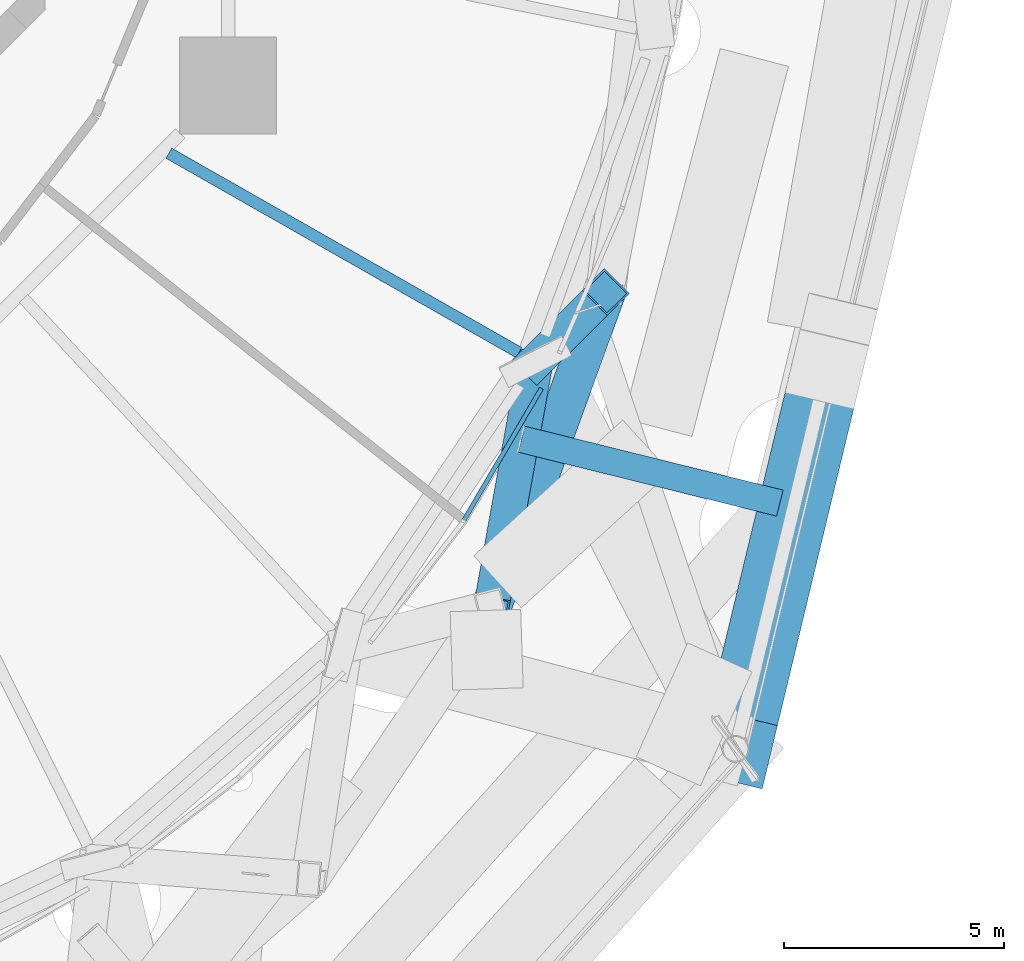
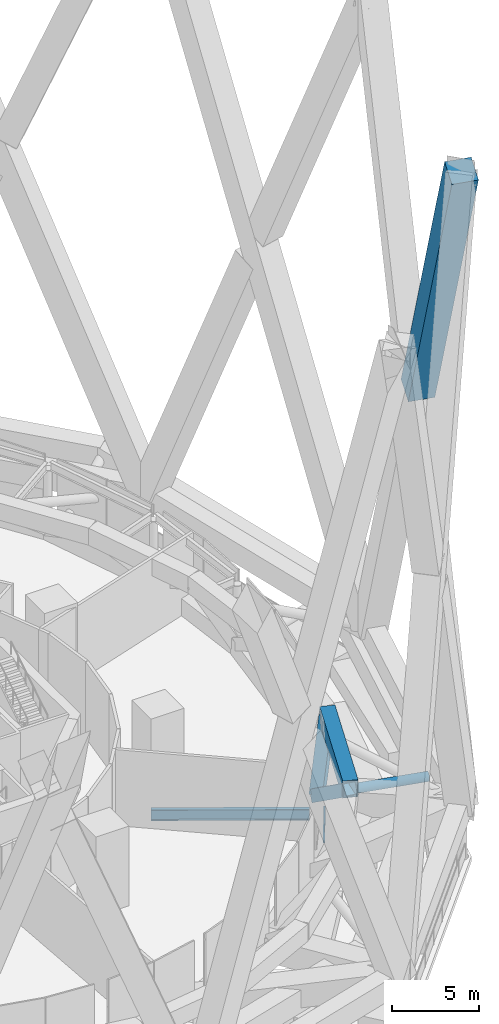
# One storey, part 11 of 65: 4 beams, 3 members, 1 element without a shape of its own.
"""IFC4 building model written with IfcOpenShell, lengths in metres."""

from ifc_helpers import new_model, si_unit, direction, frame, origin, origin_2d, place, context, subcontext, project, spatial, rectangle, hollow_rectangle, hollow_circle, i_section, extrude, material, layer, layer_set, material_profile, profile_set, type_object, element, aggregate, save


model = new_model("IFC4")

# Units and contexts
model_context = context("Model", 3, precision=1e-05, world=origin(), true_north=direction((0.0, 1.0)))
body_context = subcontext(model_context, "Body", "Model", "MODEL_VIEW")
ifc_project = project(units=[si_unit("LENGTHUNIT", "METRE"), si_unit("AREAUNIT", "SQUARE_METRE"), si_unit("VOLUMEUNIT", "CUBIC_METRE"), si_unit("PLANEANGLEUNIT", "RADIAN"), si_unit("MASSUNIT", "GRAM", prefix="KILO")], contexts=[model_context])

# Site, building, storey
site_placement = place(None, origin())
site = spatial("IfcSite", under=ifc_project, at=site_placement, CompositionType="ELEMENT")
building_placement = place(site_placement, origin())
building = spatial("IfcBuilding", under=site, at=building_placement, Name="Nagisa Residences", CompositionType="ELEMENT")
storey_placement = place(building_placement, frame((0.0, 0.0, 114.0)))
storey = spatial("IfcBuildingStorey", under=building, at=storey_placement, Name="L28", CompositionType="ELEMENT", Elevation=114.0)

# Beams
ifc_material_1 = material(Name="Steel ASTM A572 Gr 50", Category="steel")
ifc_material_profile_1 = material_profile(ifc_material_1, hollow_rectangle(XDim=0.89990234375, YDim=1.199951171875, WallThickness=0.050048828125, at=origin_2d()), Name="BX 900x1200x50")
ifc_profile_set_1 = profile_set([ifc_material_profile_1], Name="Steel ASTM A572 Gr 50")
beam_type_1 = type_object("IfcBeamType", Name="Belt chord 2 BX 900x1200x50", PredefinedType="BEAM", material=ifc_profile_set_1)
beam_1_placement = place(storey_placement, frame((20.7470703125, -17.965087890625, 4.739990234375), z_axis=(0.341339120312, 0.939940213495, 0.0), x_axis=(-0.939940213495, 0.341339120312, 0.0)))
element("IfcBeam", 1, at=beam_1_placement, inside=storey, type_object=beam_type_1, Name="beam:L28:bt2t23", PredefinedType="BEAM", context=body_context, shape_type="SweptSolid", body=[
    extrude(hollow_rectangle(XDim=0.89990234375, YDim=1.199951171875, WallThickness=0.050048828125, at=origin_2d()), origin(), (0.0, 0.0, 1.0), 7.619384765625),
])
ifc_material_2 = material(Name="Steel ASTM A572 Gr 50", Category="steel")
ifc_material_profile_2 = material_profile(ifc_material_2, hollow_rectangle(XDim=0.800048828125, YDim=0.800048828125, WallThickness=0.044921875, at=origin_2d()), Name="BX 800x800x45")
ifc_profile_set_2 = profile_set([ifc_material_profile_2], Name="Steel ASTM A572 Gr 50")
beam_type_2 = type_object("IfcBeamType", Name="Belt diagonal 2 BX 800x800x45", PredefinedType="BEAM", material=ifc_profile_set_2)
beam_2_placement = place(storey_placement, frame((21.75146484375, -12.389892578125, 0.60009765625), z_axis=(-0.143148895843, -0.794591197248, 0.590028154306), x_axis=(0.98415686387, -0.177299935977, 0.0)))
element("IfcBeam", 2, at=beam_2_placement, inside=storey, type_object=beam_type_2, Name="beam:L28:bt2da23", PredefinedType="BEAM", context=body_context, shape_type="SweptSolid", body=[
    extrude(hollow_rectangle(XDim=0.800048828125, YDim=0.800048828125, WallThickness=0.044921875, at=origin_2d()), origin(), (0.0, 0.0, 1.0), 7.016357421875),
])
beam_3_placement = place(storey_placement, frame((21.75146484375, -12.389892578125, 0.60009765625), z_axis=(0.338787657834, 0.336715245185, 0.878547532328), x_axis=(-0.70493409172, 0.709272815165, 0.0)))
element("IfcBeam", 3, at=beam_3_placement, inside=storey, type_object=beam_type_2, Name="beam:L28:bt2db23", PredefinedType="BEAM", context=body_context, shape_type="SweptSolid", body=[
    extrude(hollow_rectangle(XDim=0.800048828125, YDim=0.800048828125, WallThickness=0.044921875, at=origin_2d()), origin(), (0.0, 0.0, 1.0), 4.712158203125),
])

# Curtain wall, member
ifc_material_3 = material(Name="Aluminium curtain wall system", Category="aluminium")
ifc_layer = layer(ifc_material_3, 0.159912109375)
ifc_layer_set = layer_set([ifc_layer], Name="CW5 CURTAIN WALL")
curtain_wall_type = type_object("IfcCurtainWallType", Name="CW5 CURTAIN WALL", PredefinedType="NOTDEFINED", material=ifc_layer_set)
curtain_wall_placement = place(storey_placement, origin())
curtain_wall = element("IfcCurtainWall", 4, at=curtain_wall_placement, inside=storey, type_object=curtain_wall_type, Name="cw:CW5:L28:43", PredefinedType="NOTDEFINED")
ifc_material_4 = material(Name="Aluminium", Category="aluminium")
ifc_material_profile_3 = material_profile(ifc_material_4, rectangle(XDim=0.10009765625, YDim=0.1201171875, at=origin_2d()), Name="CW5 TRANSOM 100x120")
ifc_profile_set_3 = profile_set([ifc_material_profile_3], Name="Aluminium")
member_type_1 = type_object("IfcMemberType", Name="CW5 TRANSOM 100x120", PredefinedType="USERDEFINED", material=ifc_profile_set_3)
member_1_placement = place(storey_placement, frame((20.10302734375, -16.02685546875, 0.06005859375), z_axis=(0.506323754654, 0.862343467229, 0.0), x_axis=(-0.862343467229, 0.506323754654, 0.0)))
member_1 = element("IfcMember", 5, at=member_1_placement, type_object=member_type_1, Name="CW5 transom", ObjectType="TRANSOM", PredefinedType="USERDEFINED", context=body_context, shape_type="SweptSolid", body=[
    extrude(rectangle(XDim=0.10009765625, YDim=0.1201171875, at=origin_2d()), origin(), (0.0, 0.0, 1.0), 3.524658203125),
])
aggregate(curtain_wall, [member_1])

# Members
ifc_material_5 = material(Name="Concrete C80", Category="concrete")
ifc_material_profile_4 = material_profile(ifc_material_5, rectangle(XDim=1.60009765625, YDim=1.60009765625, at=origin_2d()), Name="C80 1600x1600")
ifc_profile_set_4 = profile_set([ifc_material_profile_4], Name="Concrete C80")
member_type_2 = type_object("IfcMemberType", Name="Cage diagonal 3 C80 1600x1600", PredefinedType="BRACE", material=ifc_profile_set_4)
member_2_placement = place(storey_placement, frame((28.362548828125, -12.555419921875, 26.970458984375), z_axis=(-0.090120264696, -0.374299994674, 0.922918117645), x_axis=(0.972217131243, -0.234080861492, 0.0)))
element("IfcMember", 6, at=member_2_placement, inside=storey, type_object=member_type_2, Name="mem:L28:cg3d024b", PredefinedType="BRACE", context=body_context, shape_type="SweptSolid", body=[
    extrude(rectangle(XDim=1.60009765625, YDim=1.60009765625, at=origin_2d()), origin(), (0.0, 0.0, 1.0), 23.002685546875),
])
ifc_material_6 = material(Name="Steel ASTM A572 Gr 65", Category="steel")
ifc_material_profile_5 = material_profile(ifc_material_6, hollow_circle(Radius=0.304931640625, WallThickness=0.02490234375, at=origin_2d()), Name="CHS 610x25")
ifc_profile_set_5 = profile_set([ifc_material_profile_5], Name="Steel ASTM A572 Gr 65")
member_type_3 = type_object("IfcMemberType", Name="Cage strut CHS 610x25", PredefinedType="STRUT", material=ifc_profile_set_5)
member_3_placement = place(storey_placement, frame((27.294189453125, -15.58984375, 1.89990234375), z_axis=(-0.970736875946, 0.240145617654, 0.0), x_axis=(-0.240145617654, -0.970736875946, 0.0)))
element("IfcMember", 7, at=member_3_placement, inside=storey, type_object=member_type_3, Name="mem:L28:bt2st2a12", PredefinedType="STRUT", context=body_context, shape_type="SweptSolid", body=[
    extrude(hollow_circle(Radius=0.304931640625, WallThickness=0.02490234375, at=origin_2d()), origin(), (0.0, 0.0, 1.0), 6.03466796875),
])

# Beam
ifc_material_7 = material(Name="Steel ASTM A572 Gr 50", Category="steel")
ifc_material_profile_6 = material_profile(ifc_material_7, i_section(OverallWidth=0.264892578125, OverallDepth=0.7529296875, WebThickness=0.01318359375, FlangeThickness=0.01708984375, at=origin_2d()), Name="W760x147")
ifc_profile_set_6 = profile_set([ifc_material_profile_6], Name="Steel ASTM A572 Gr 50")
beam_type_3 = type_object("IfcBeamType", Name="Radial beam W760x147", PredefinedType="BEAM", material=ifc_profile_set_6)
beam_4_placement = place(storey_placement, frame((21.37744140625, -12.1767578125, -0.7265625), z_axis=(-0.868924721934, 0.494944267178, 0.0), x_axis=(-0.494944267178, -0.868924721934, 0.0)))
element("IfcBeam", 8, at=beam_4_placement, inside=storey, type_object=beam_type_3, Name="beam:L28:rb23", PredefinedType="BEAM", context=body_context, shape_type="SweptSolid", body=[
    extrude(i_section(OverallWidth=0.264892578125, OverallDepth=0.7529296875, WebThickness=0.01318359375, FlangeThickness=0.01708984375, at=origin_2d()), origin(), (0.0, 0.0, 1.0), 9.13671875),
])

save(model, "model.ifc")
